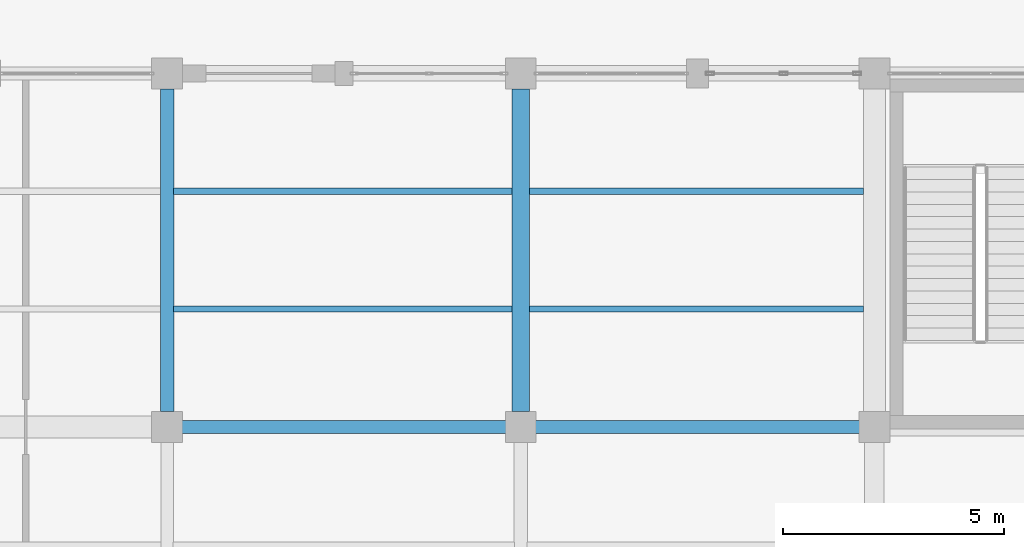
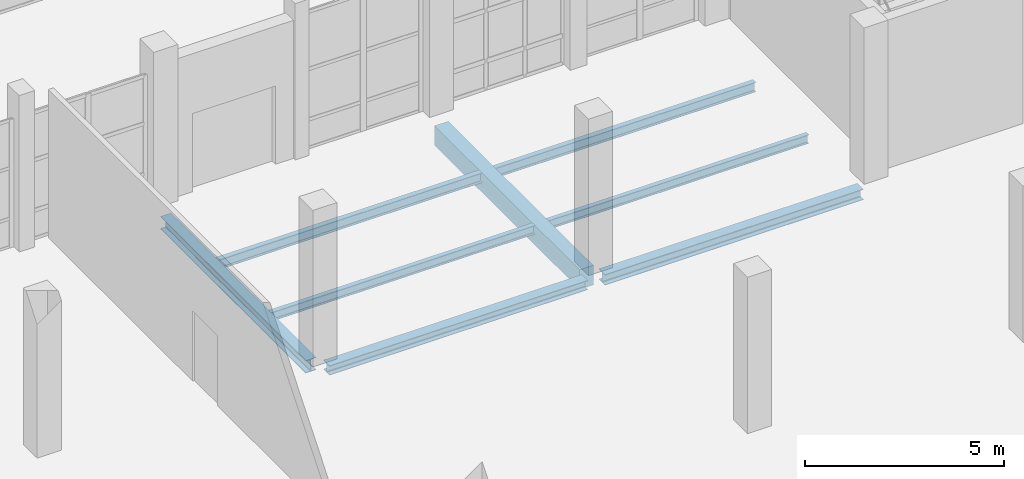
# One storey, part 14 of 156: 8 beams.
"""IFC4 building model written with IfcOpenShell, lengths in metres."""

from ifc_helpers import new_model, si_unit, direction, frame, origin, origin_2d, place, context, subcontext, project, spatial, rectangle, i_section, extrude, material, material_profile, profile_set, type_object, element, save


model = new_model("IFC4")

# Units and contexts
model_context = context("Model", 3, precision=1e-05, world=origin(), true_north=direction((0.0, 1.0)))
body_context = subcontext(model_context, "Body", "Model", "MODEL_VIEW")
ifc_project = project(units=[si_unit("LENGTHUNIT", "METRE"), si_unit("AREAUNIT", "SQUARE_METRE"), si_unit("VOLUMEUNIT", "CUBIC_METRE"), si_unit("PLANEANGLEUNIT", "RADIAN"), si_unit("MASSUNIT", "GRAM", prefix="KILO")], contexts=[model_context])

# Site, building, storey
site_placement = place(None, origin())
site = spatial("IfcSite", under=ifc_project, at=site_placement, CompositionType="ELEMENT")
building_placement = place(site_placement, origin())
building = spatial("IfcBuilding", under=site, at=building_placement, Name="Luwemba Playhouse", CompositionType="ELEMENT")
storey_placement = place(building_placement, origin())
storey = spatial("IfcBuildingStorey", under=building, at=storey_placement, Name="L00", CompositionType="ELEMENT", Elevation=0.0)

# Beams
ifc_material_1 = material(Name="Concrete C40/50", Category="concrete")
ifc_material_profile_1 = material_profile(ifc_material_1, rectangle(XDim=0.39990234375, YDim=0.60009765625, at=origin_2d()))
ifc_profile_set_1 = profile_set([ifc_material_profile_1], Name="Concrete C40/50")
beam_type_1 = type_object("IfcBeamType", Name="BM-RB01", PredefinedType="BEAM", material=ifc_profile_set_1)
beam_1_placement = place(storey_placement, frame((28.0, 19.35009765625, -0.60009765625), z_axis=(0.0, 1.0, 0.0), x_axis=(-1.0, 0.0, 0.0)))
element("IfcBeam", 1, at=beam_1_placement, inside=storey, type_object=beam_type_1, Name="L00 transverse girder 0189", PredefinedType="BEAM", context=body_context, shape_type="SweptSolid", body=[
    extrude(rectangle(XDim=0.39990234375, YDim=0.60009765625, at=origin_2d()), origin(), (0.0, 0.0, 1.0), 7.2998046875),
])
ifc_material_2 = material(Name="Steel S355", Category="steel")
ifc_material_profile_2 = material_profile(ifc_material_2, i_section(OverallWidth=0.300048828125, OverallDepth=0.2900390625, WebThickness=0.008544921875, FlangeThickness=0.013916015625, FilletRadius=0.027099609375, at=origin_2d()))
ifc_profile_set_2 = profile_set([ifc_material_profile_2], Name="Steel S355")
beam_type_2 = type_object("IfcBeamType", Name="BM-SB03", PredefinedType="BEAM", material=ifc_profile_set_2)
beam_2_placement = place(storey_placement, frame((20.25, 19.0, -0.445068359375), z_axis=(1.0, 0.0, 0.0), x_axis=(0.0, 1.0, 0.0)))
element("IfcBeam", 2, at=beam_2_placement, inside=storey, type_object=beam_type_2, Name="L00 grid girder 0166", PredefinedType="BEAM", context=body_context, shape_type="SweptSolid", body=[
    extrude(i_section(OverallWidth=0.300048828125, OverallDepth=0.2900390625, WebThickness=0.008544921875, FlangeThickness=0.013916015625, FilletRadius=0.027099609375, at=origin_2d()), origin(), (0.0, 0.0, 1.0), 7.5),
])
ifc_material_profile_3 = material_profile(ifc_material_2, i_section(OverallWidth=0.300048828125, OverallDepth=0.330078125, WebThickness=0.009521484375, FlangeThickness=0.0166015625, FilletRadius=0.027099609375, at=origin_2d()))
ifc_profile_set_3 = profile_set([ifc_material_profile_3], Name="Steel S355")
beam_type_3 = type_object("IfcBeamType", Name="BM-SB04", PredefinedType="BEAM", material=ifc_profile_set_3)
beam_3_placement = place(storey_placement, frame((28.25, 19.0, -0.465087890625), z_axis=(1.0, 0.0, 0.0), x_axis=(0.0, 1.0, 0.0)))
element("IfcBeam", 3, at=beam_3_placement, inside=storey, type_object=beam_type_3, Name="L00 grid girder 0167", PredefinedType="BEAM", context=body_context, shape_type="SweptSolid", body=[
    extrude(i_section(OverallWidth=0.300048828125, OverallDepth=0.330078125, WebThickness=0.009521484375, FlangeThickness=0.0166015625, FilletRadius=0.027099609375, at=origin_2d()), origin(), (0.0, 0.0, 1.0), 7.5),
])
ifc_material_profile_4 = material_profile(ifc_material_2, i_section(OverallWidth=0.300048828125, OverallDepth=0.389892578125, WebThickness=0.010986328125, FlangeThickness=0.01904296875, FilletRadius=0.027099609375, at=origin_2d()))
ifc_profile_set_4 = profile_set([ifc_material_profile_4], Name="Steel S355")
beam_type_4 = type_object("IfcBeamType", Name="BM-SB05", PredefinedType="BEAM", material=ifc_profile_set_4)
beam_4_placement = place(storey_placement, frame((20.0, 19.35009765625, -0.4951171875), z_axis=(0.0, 1.0, 0.0), x_axis=(-1.0, 0.0, 0.0)))
element("IfcBeam", 4, at=beam_4_placement, inside=storey, type_object=beam_type_4, Name="L00 transverse girder 0186", PredefinedType="BEAM", context=body_context, shape_type="SweptSolid", body=[
    extrude(i_section(OverallWidth=0.300048828125, OverallDepth=0.389892578125, WebThickness=0.010986328125, FlangeThickness=0.01904296875, FilletRadius=0.027099609375, at=origin_2d()), origin(), (0.0, 0.0, 1.0), 7.2998046875),
])
ifc_material_profile_5 = material_profile(ifc_material_2, i_section(OverallWidth=0.135009765625, OverallDepth=0.27001953125, WebThickness=0.006591796875, FlangeThickness=0.01025390625, FilletRadius=0.014892578125, at=origin_2d()))
ifc_profile_set_5 = profile_set([ifc_material_profile_5], Name="Steel S355")
beam_type_5 = type_object("IfcBeamType", Name="BM-SJ04", PredefinedType="JOIST", material=ifc_profile_set_5)
beam_5_placement = place(storey_placement, frame((20.14599609375, 21.666748046875, -0.43505859375), z_axis=(1.0, 0.0, 0.0), x_axis=(0.0, 1.0, 0.0)))
element("IfcBeam", 5, at=beam_5_placement, inside=storey, type_object=beam_type_5, Name="L00 composite floor joist 0132", PredefinedType="JOIST", context=body_context, shape_type="SweptSolid", body=[
    extrude(i_section(OverallWidth=0.135009765625, OverallDepth=0.27001953125, WebThickness=0.006591796875, FlangeThickness=0.01025390625, FilletRadius=0.014892578125, at=origin_2d()), origin(), (0.0, 0.0, 1.0), 7.657958984375),
])
beam_6_placement = place(storey_placement, frame((28.196044921875, 21.666748046875, -0.43505859375), z_axis=(1.0, 0.0, 0.0), x_axis=(0.0, 1.0, 0.0)))
element("IfcBeam", 6, at=beam_6_placement, inside=storey, type_object=beam_type_5, Name="L00 composite floor joist 0138", PredefinedType="JOIST", context=body_context, shape_type="SweptSolid", body=[
    extrude(i_section(OverallWidth=0.135009765625, OverallDepth=0.27001953125, WebThickness=0.006591796875, FlangeThickness=0.01025390625, FilletRadius=0.014892578125, at=origin_2d()), origin(), (0.0, 0.0, 1.0), 7.557861328125),
])
ifc_material_profile_6 = material_profile(ifc_material_2, i_section(OverallWidth=0.14990234375, OverallDepth=0.300048828125, WebThickness=0.007080078125, FlangeThickness=0.0107421875, FilletRadius=0.014892578125, at=origin_2d()))
ifc_profile_set_6 = profile_set([ifc_material_profile_6], Name="Steel S355")
beam_type_6 = type_object("IfcBeamType", Name="BM-SJ05", PredefinedType="JOIST", material=ifc_profile_set_6)
beam_7_placement = place(storey_placement, frame((20.14599609375, 24.333251953125, -0.449951171875), z_axis=(1.0, 0.0, 0.0), x_axis=(0.0, 1.0, 0.0)))
element("IfcBeam", 7, at=beam_7_placement, inside=storey, type_object=beam_type_6, Name="L00 composite floor joist 0133", PredefinedType="JOIST", context=body_context, shape_type="SweptSolid", body=[
    extrude(i_section(OverallWidth=0.14990234375, OverallDepth=0.300048828125, WebThickness=0.007080078125, FlangeThickness=0.0107421875, FilletRadius=0.014892578125, at=origin_2d()), origin(), (0.0, 0.0, 1.0), 7.657958984375),
])
beam_8_placement = place(storey_placement, frame((28.196044921875, 24.333251953125, -0.449951171875), z_axis=(1.0, 0.0, 0.0), x_axis=(0.0, 1.0, 0.0)))
element("IfcBeam", 8, at=beam_8_placement, inside=storey, type_object=beam_type_6, Name="L00 composite floor joist 0139", PredefinedType="JOIST", context=body_context, shape_type="SweptSolid", body=[
    extrude(i_section(OverallWidth=0.14990234375, OverallDepth=0.300048828125, WebThickness=0.007080078125, FlangeThickness=0.0107421875, FilletRadius=0.014892578125, at=origin_2d()), origin(), (0.0, 0.0, 1.0), 7.557861328125),
])

save(model, "model.ifc")
